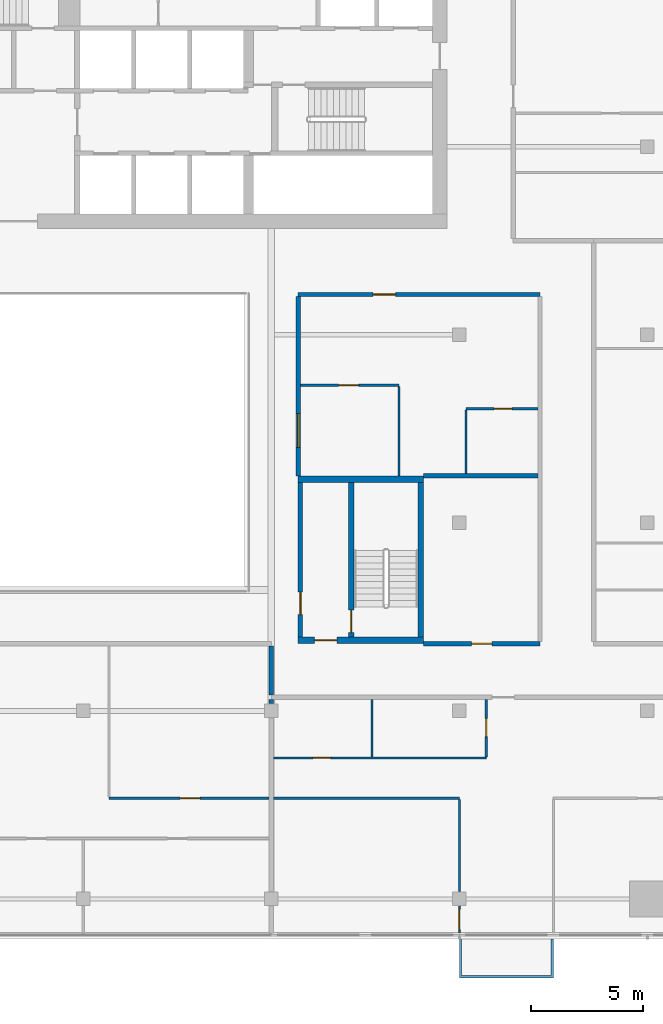
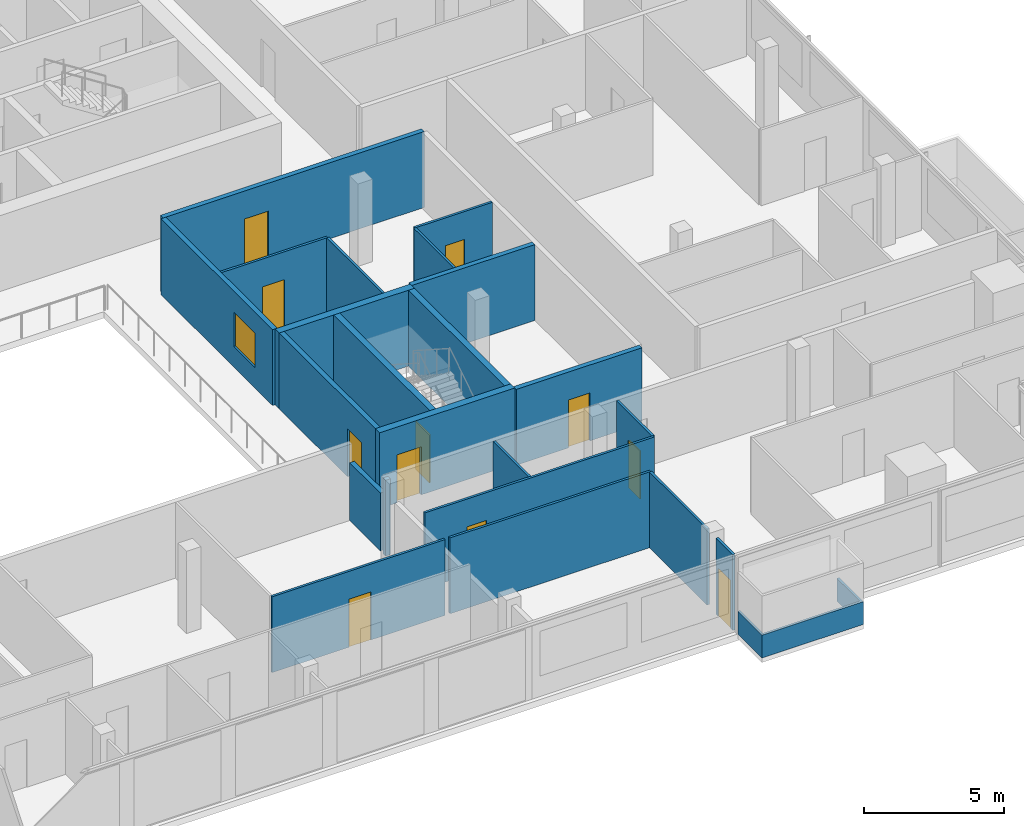
# One storey, part 19 of 29: 23 walls, 11 doors, 1 window, 12 openings.
"""IFC4 building model written with IfcOpenShell, lengths in metres."""

import ifcopenshell
import ifcopenshell.guid

model = None  # the IFC model being written
_history = None  # IfcOwnerHistory: only IFC2X3 demands one
_inside = {}  # id of a spatial element -> (the spatial element, [elements in it])
_under = {}  # id of a project, library or spatial element -> (it, [spatial elements below it])
_declared = {}  # id of a project -> (the project, [libraries it declares])
_typed = {}  # id of a type object -> (the type object, [elements of that type])
_made_of = {}  # id of a material, layer set ... -> (it, [elements and type objects made of it])


def new_model(schema):
    """Start an empty IFC model of exactly this schema.

    Asked for "IFC4X3", IfcOpenShell would pick the latest addendum, in which some entities
    have other attributes; the version numbers below select the first issue.
    IFC2X3 requires an IfcOwnerHistory on every rooted entity: one is made here for all.
    """
    global model, _history
    if schema == "IFC4X3":
        model = ifcopenshell.file(schema_version=(4, 3, 0, 0))
    else:
        model = ifcopenshell.file(schema=schema)
    _inside.clear()
    _under.clear()
    _declared.clear()
    _typed.clear()
    _made_of.clear()
    _history = None
    if model.schema == "IFC2X3":
        org = make("IfcOrganization", Name="unknown")
        user = make(
            "IfcPersonAndOrganization",
            ThePerson=make("IfcPerson", FamilyName="unknown"),
            TheOrganization=org,
        )
        app = make(
            "IfcApplication",
            ApplicationDeveloper=org,
            Version="unknown",
            ApplicationFullName="unknown",
            ApplicationIdentifier="unknown",
        )
        _history = make(
            "IfcOwnerHistory",
            OwningUser=user,
            OwningApplication=app,
            ChangeAction="ADDED",
            CreationDate=0,
        )
    return model


def make(cls, **values):
    """One entity of the class cls with the attributes given. An attribute that is None is left unset."""
    return model.create_entity(
        cls, **{name: value for name, value in values.items() if value is not None}
    )


def rooted(cls, **values):
    """An entity with a GlobalId (a new one), such as an element, a storey or a relation."""
    return make(cls, GlobalId=ifcopenshell.guid.new(), OwnerHistory=_history, **values)


def si_unit(unit_type, name, prefix=None):
    """IfcSIUnit, for example si_unit("LENGTHUNIT", "METRE", prefix="MILLI")."""
    return make("IfcSIUnit", UnitType=unit_type, Prefix=prefix, Name=name)


def assignment(units):
    """IfcUnitAssignment: the units of a project."""
    return None if units is None else make("IfcUnitAssignment", Units=units)


def point(xyz):
    """IfcCartesianPoint."""
    return None if xyz is None else make("IfcCartesianPoint", Coordinates=xyz)


def direction(xyz):
    """IfcDirection."""
    return None if xyz is None else make("IfcDirection", DirectionRatios=xyz)


def frame(location, z_axis=None, x_axis=None):
    """IfcAxis2Placement3D, a coordinate frame: its origin and axes. An axis left out is left unset."""
    return make(
        "IfcAxis2Placement3D",
        Location=point(location),
        Axis=direction(z_axis),
        RefDirection=direction(x_axis),
    )


def frame_2d(location, x_axis=None):
    """IfcAxis2Placement2D, a coordinate frame in the plane: its origin and x axis."""
    return make(
        "IfcAxis2Placement2D", Location=point(location), RefDirection=direction(x_axis)
    )


def origin():
    """The frame at (0, 0, 0) with its axes left unset."""
    return frame((0.0, 0.0, 0.0))


def place(relative_to, where):
    """IfcLocalPlacement: puts the frame where relative to a parent placement (None: the world)."""
    return make(
        "IfcLocalPlacement", PlacementRelTo=relative_to, RelativePlacement=where
    )


def context(
    kind, dimensions, precision=None, world=None, true_north=None, identifier=None
):
    """IfcGeometricRepresentationContext, for example the 3D "Model" context."""
    return make(
        "IfcGeometricRepresentationContext",
        ContextIdentifier=identifier,
        ContextType=kind,
        CoordinateSpaceDimension=dimensions,
        Precision=precision,
        WorldCoordinateSystem=world,
        TrueNorth=true_north,
    )


def subcontext(parent, identifier, kind, view, scale=None):
    """IfcGeometricRepresentationSubContext, for example "Body" below "Model"."""
    return make(
        "IfcGeometricRepresentationSubContext",
        ContextIdentifier=identifier,
        ContextType=kind,
        ParentContext=parent,
        TargetScale=scale,
        TargetView=view,
    )


def project(units=None, contexts=None):
    """IfcProject with its units and contexts."""
    return rooted(
        "IfcProject",
        Name="project",
        RepresentationContexts=contexts,
        UnitsInContext=assignment(units),
    )


def spatial(cls, under=None, at=None, **own):
    """A site, building, storey or space (cls), placed at a placement, below another one or the project."""
    s = rooted(cls, ObjectPlacement=at, **own)
    if under is not None:
        _under.setdefault(under.id(), (under, []))[1].append(s)
    return s


def polyline(points):
    """IfcPolyline through the points."""
    return make("IfcPolyline", Points=[point(p) for p in points])


def profile(cls, at=None, kind="AREA", **sizes):
    """A parametric profile (cls). Its sizes go by their IFC names, for example OverallWidth=200.0."""
    return make(cls, ProfileType=kind, Position=at, **sizes)


def rectangle(**sizes):
    """IfcRectangleProfileDef."""
    return profile("IfcRectangleProfileDef", **sizes)


def outline(outer, holes=None, kind="AREA"):
    """IfcArbitraryClosedProfileDef: a profile drawn as a closed curve; with holes, ...WithVoids."""
    if holes is None:
        return make("IfcArbitraryClosedProfileDef", ProfileType=kind, OuterCurve=outer)
    return make(
        "IfcArbitraryProfileDefWithVoids",
        ProfileType=kind,
        OuterCurve=outer,
        InnerCurves=holes,
    )


def extrude(swept, where, along, depth):
    """IfcExtrudedAreaSolid: the profile swept, set in the frame where, extruded along a direction by depth."""
    return make(
        "IfcExtrudedAreaSolid",
        SweptArea=swept,
        Position=where,
        ExtrudedDirection=direction(along),
        Depth=depth,
    )


def shape(context_of_items, identifier, shape_type, items):
    """IfcShapeRepresentation: the items that make up one representation, for example the "Body"."""
    return make(
        "IfcShapeRepresentation",
        ContextOfItems=context_of_items,
        RepresentationIdentifier=identifier,
        RepresentationType=shape_type,
        Items=items,
    )


def material(Name=None, Category=None):
    """IfcMaterial."""
    return make("IfcMaterial", Name=Name, Category=Category)


def layer(
    of_material, thickness, ventilated=None, Name=None, Category=None, Priority=None
):
    """IfcMaterialLayer: one layer of a wall or slab, of a material (None: an air gap)."""
    return make(
        "IfcMaterialLayer",
        Material=of_material,
        LayerThickness=thickness,
        IsVentilated=ventilated,
        Name=Name,
        Category=Category,
        Priority=Priority,
    )


def layer_set(layers, Name=None):
    """IfcMaterialLayerSet."""
    return make("IfcMaterialLayerSet", MaterialLayers=layers, LayerSetName=Name)


def made_of(thing, what):
    """Note that an element or type object is made of a material, layer set ...; save() writes the relation."""
    if what is not None:
        _made_of.setdefault(what.id(), (what, []))[1].append(thing)
    return thing


def type_object(cls, material=None, **own):
    """A type object (cls), such as IfcWallType, which elements share."""
    return made_of(rooted(cls, **own), material)


def element(
    cls,
    number,
    at=None,
    inside=None,
    cuts=None,
    type_object=None,
    material=None,
    context=None,
    identifier="Body",
    shape_type=None,
    held_by="IfcProductDefinitionShape",
    body=None,
    shapes=None,
    **own,
):
    """One element of the class cls, such as IfcWall. Its Tag is "e" and its number.

    at: its placement. inside: the storey or other place that contains it. cuts: it is an
    opening in that element (IfcRelVoidsElement). A single representation is given by context,
    identifier, shape_type and body (its items); several are given by shapes. held_by: the class
    of the entity that holds the representations. save() writes the other relations.
    """
    e = rooted(cls, Tag="e%d" % number, ObjectPlacement=at, **own)
    if body is not None:
        shapes = [shape(context, identifier, shape_type, body)]
    if shapes is not None:
        e.Representation = make(held_by, Representations=shapes)
    if inside is not None:
        _inside.setdefault(inside.id(), (inside, []))[1].append(e)
    if cuts is not None:
        rooted(
            "IfcRelVoidsElement", RelatingBuildingElement=cuts, RelatedOpeningElement=e
        )
    if type_object is not None:
        _typed.setdefault(type_object.id(), (type_object, []))[1].append(e)
    return made_of(e, material)


def fill(opening, filler):
    """IfcRelFillsElement: the door or window that sits in an opening."""
    return rooted(
        "IfcRelFillsElement",
        RelatingOpeningElement=opening,
        RelatedBuildingElement=filler,
    )


def aggregate(whole, parts):
    """IfcRelAggregates: a whole, such as a stair, and the parts it consists of."""
    return rooted("IfcRelAggregates", RelatingObject=whole, RelatedObjects=parts)


def save(model, path):
    """Write the relations noted so far, then the file.

    IfcRelAggregates (storeys below a building ...), IfcRelContainedInSpatialStructure (elements
    in a storey), IfcRelDefinesByType, IfcRelAssociatesMaterial and IfcRelDeclares: one each for
    every whole, place, type object, material and project.
    """
    for whole, parts in _under.values():
        aggregate(whole, parts)
    for where, things in _inside.values():
        rooted(
            "IfcRelContainedInSpatialStructure",
            RelatedElements=things,
            RelatingStructure=where,
        )
    for kind, things in _typed.values():
        rooted("IfcRelDefinesByType", RelatedObjects=things, RelatingType=kind)
    for what, things in _made_of.values():
        rooted("IfcRelAssociatesMaterial", RelatedObjects=things, RelatingMaterial=what)
    for by, libraries in _declared.values():
        rooted("IfcRelDeclares", RelatingContext=by, RelatedDefinitions=libraries)
    model.write(path)


model = new_model("IFC4")

# Units and contexts
model_context = context("Model", 3, precision=1e-05, world=origin(), true_north=direction((0.0, 1.0)))
body_context = subcontext(model_context, "Body", "Model", "MODEL_VIEW")
ifc_project = project(units=[si_unit("LENGTHUNIT", "METRE"), si_unit("AREAUNIT", "SQUARE_METRE"), si_unit("VOLUMEUNIT", "CUBIC_METRE"), si_unit("PLANEANGLEUNIT", "RADIAN"), si_unit("MASSUNIT", "GRAM", prefix="KILO")], contexts=[model_context])

# Site, building, storey
site_placement = place(None, origin())
site = spatial("IfcSite", under=ifc_project, at=site_placement, CompositionType="ELEMENT")
building_placement = place(site_placement, origin())
building = spatial("IfcBuilding", under=site, at=building_placement, Name="Saffron Gate Tower", CompositionType="ELEMENT")
storey_placement = place(building_placement, frame((0.0, 0.0, 227.10009765625)))
storey = spatial("IfcBuildingStorey", under=building, at=storey_placement, Name="L55", CompositionType="ELEMENT", Elevation=227.10009765625)

# Wall, opening, door
ifc_material_1 = material(Name="Gypsum board partition on steel studs", Category="steel")
ifc_layer_1 = layer(ifc_material_1, 0.199951171875)
ifc_layer_set_1 = layer_set([ifc_layer_1], Name="CW10 Core partition 200")
wall_type_1 = type_object("IfcWallType", Name="CW10 Core partition 200", PredefinedType="PARTITIONING", material=ifc_layer_set_1)
wall_1_placement = place(storey_placement, frame((101.5, 43.5, 0.0), z_axis=(0.0, 0.0, 1.0), x_axis=(0.0, 1.0, 0.0)))
wall_1 = element("IfcWall", 1, at=wall_1_placement, inside=storey, type_object=wall_type_1, Name="Wall CW10-L55-E-2", PredefinedType="PARTITIONING", context=body_context, shape_type="SweptSolid", body=[
    extrude(rectangle(XDim=6.89990234375, YDim=0.199951171875, at=frame_2d((3.449951171875, 0.0))), origin(), (0.0, 0.0, 1.0), 3.31982421875),
])
opening_1_placement = place(wall_1_placement, frame((1.0, 0.0, 0.0)))
opening_1 = element("IfcOpeningElement", 2, at=opening_1_placement, cuts=wall_1, Name="Opening CR-22", PredefinedType="OPENING", context=body_context, shape_type="SweptSolid", body=[
    extrude(rectangle(XDim=1.0, YDim=2.10009765625, at=frame_2d((0.5, 1.050048828125))), frame((0.0, 0.10986328125, 0.0), z_axis=(0.0, -1.0, 0.0), x_axis=(1.0, 0.0, 0.0)), (0.0, 0.0, 1.0), 0.219970703125),
])
ifc_material_2 = material(Name="Steel fire door set", Category="steel")
door_type_1 = type_object("IfcDoorType", Name="CD4 Lobby door 1000x2100 EI 120", OperationType="NOTDEFINED", PredefinedType="DOOR", material=ifc_material_2)
door_1_placement = place(opening_1_placement, origin())
door_1 = element("IfcDoor", 3, at=door_1_placement, inside=storey, type_object=door_type_1, Name="DOOR CR-22", OperationType="SINGLE_SWING_LEFT", OverallHeight=2.10009765625, OverallWidth=1.0, PredefinedType="DOOR", context=body_context, shape_type="SweptSolid", body=[
    extrude(rectangle(XDim=1.0, YDim=2.10009765625, at=frame_2d((0.5, 1.050048828125))), frame((0.0, 0.02490234375, 0.0), z_axis=(0.0, -1.0, 0.0), x_axis=(1.0, 0.0, 0.0)), (0.0, 0.0, 1.0), 0.050048828125),
])
fill(opening_1, door_1)

ifc_material_3 = material(Name="Concrete C60", Category="concrete")
ifc_layer_2 = layer(ifc_material_3, 0.25)
ifc_layer_set_2 = layer_set([ifc_layer_2], Name="CW14 RC core wall 250 C60")
wall_type_2 = type_object("IfcWallType", Name="CW14 RC core wall 250 C60", PredefinedType="SOLIDWALL", material=ifc_layer_set_2)
wall_2_placement = place(storey_placement, frame((103.77490234375, 43.5, 0.0), z_axis=(0.0, 0.0, 1.0), x_axis=(0.0, 1.0, 0.0)))
wall_2 = element("IfcWall", 4, at=wall_2_placement, inside=storey, type_object=wall_type_2, Name="Wall CW14-L55-E-3", PredefinedType="SOLIDWALL", context=body_context, shape_type="SweptSolid", body=[
    extrude(rectangle(XDim=6.89990234375, YDim=0.25, at=frame_2d((3.449951171875, 0.0))), origin(), (0.0, 0.0, 1.0), 3.31982421875),
])
opening_2_placement = place(wall_2_placement, frame((0.199951171875, 0.0, 0.0)))
opening_2 = element("IfcOpeningElement", 5, at=opening_2_placement, cuts=wall_2, Name="Opening CR-23", PredefinedType="OPENING", context=body_context, shape_type="SweptSolid", body=[
    extrude(rectangle(XDim=1.0, YDim=2.10009765625, at=frame_2d((0.5, 1.050048828125))), frame((0.0, 0.135009765625, 0.0), z_axis=(0.0, -1.0, 0.0), x_axis=(1.0, 0.0, 0.0)), (0.0, 0.0, 1.0), 0.27001953125),
])
door_type_2 = type_object("IfcDoorType", Name="CD5 Stair door 1000x2100 EI 120", OperationType="NOTDEFINED", PredefinedType="DOOR", material=ifc_material_2)
door_2_placement = place(opening_2_placement, origin())
door_2 = element("IfcDoor", 6, at=door_2_placement, inside=storey, type_object=door_type_2, Name="DOOR CR-23", OperationType="SINGLE_SWING_RIGHT", OverallHeight=2.10009765625, OverallWidth=1.0, PredefinedType="DOOR", context=body_context, shape_type="SweptSolid", body=[
    extrude(rectangle(XDim=1.0, YDim=2.10009765625, at=frame_2d((0.5, 1.050048828125))), frame((0.0, 0.02490234375, 0.0), z_axis=(0.0, -1.0, 0.0), x_axis=(1.0, 0.0, 0.0)), (0.0, 0.0, 1.0), 0.050048828125),
])
fill(opening_2, door_2)

# Wall
wall_3_placement = place(storey_placement, frame((106.875, 43.5, 0.0), z_axis=(0.0, 0.0, 1.0), x_axis=(0.0, 1.0, 0.0)))
element("IfcWall", 7, at=wall_3_placement, inside=storey, type_object=wall_type_2, Name="Wall CW14-L55-E-4", PredefinedType="SOLIDWALL", context=body_context, shape_type="SweptSolid", body=[
    extrude(rectangle(XDim=6.89990234375, YDim=0.25, at=frame_2d((3.449951171875, 0.0))), origin(), (0.0, 0.0, 1.0), 3.31982421875),
])

# Wall, opening, door
ifc_layer_3 = layer(ifc_material_3, 0.300048828125)
ifc_layer_set_3 = layer_set([ifc_layer_3], Name="CW17 RC core wall 300 C60")
wall_type_3 = type_object("IfcWallType", Name="CW17 RC core wall 300 C60", PredefinedType="SOLIDWALL", material=ifc_layer_set_3)
wall_4_placement = place(storey_placement, frame((101.39990234375, 43.35009765625, 0.0), z_axis=(0.0, 0.0, 1.0), x_axis=(1.0, 0.0, 0.0)))
wall_4 = element("IfcWall", 8, at=wall_4_placement, inside=storey, type_object=wall_type_3, Name="Wall CW17-L55-E-1", PredefinedType="SOLIDWALL", context=body_context, shape_type="SweptSolid", body=[
    extrude(rectangle(XDim=5.60009765625, YDim=0.300048828125, at=frame_2d((2.800048828125, 0.0))), origin(), (0.0, 0.0, 1.0), 3.31982421875),
])
opening_3_placement = place(wall_4_placement, frame((0.72509765625, 0.0, 0.0)))
opening_3 = element("IfcOpeningElement", 9, at=opening_3_placement, cuts=wall_4, Name="Opening CR-21", PredefinedType="OPENING", context=body_context, shape_type="SweptSolid", body=[
    extrude(rectangle(XDim=1.0, YDim=2.10009765625, at=frame_2d((0.5, 1.050048828125))), frame((0.0, 0.16015625, 0.0), z_axis=(0.0, -1.0, 0.0), x_axis=(1.0, 0.0, 0.0)), (0.0, 0.0, 1.0), 0.320068359375),
])
door_3_placement = place(opening_3_placement, origin())
door_3 = element("IfcDoor", 10, at=door_3_placement, inside=storey, type_object=door_type_1, Name="DOOR CR-21", OperationType="SINGLE_SWING_RIGHT", OverallHeight=2.10009765625, OverallWidth=1.0, PredefinedType="DOOR", context=body_context, shape_type="SweptSolid", body=[
    extrude(rectangle(XDim=1.0, YDim=2.10009765625, at=frame_2d((0.5, 1.050048828125))), frame((0.0, 0.02490234375, 0.0), z_axis=(0.0, -1.0, 0.0), x_axis=(1.0, 0.0, 0.0)), (0.0, 0.0, 1.0), 0.050048828125),
])
fill(opening_3, door_3)

# Wall
wall_5_placement = place(storey_placement, frame((101.39990234375, 50.550048828125, 0.0), z_axis=(0.0, 0.0, 1.0), x_axis=(1.0, 0.0, 0.0)))
element("IfcWall", 11, at=wall_5_placement, inside=storey, type_object=wall_type_3, Name="Wall CW17-L55-E-5", PredefinedType="SOLIDWALL", context=body_context, shape_type="SweptSolid", body=[
    extrude(rectangle(XDim=5.60009765625, YDim=0.300048828125, at=frame_2d((2.800048828125, 0.0))), origin(), (0.0, 0.0, 1.0), 3.31982421875),
])

# Wall, opening, door
ifc_material_4 = material(Name="Plasterboard on steel studs", Category="steel")
ifc_layer_4 = layer(ifc_material_4, 0.10009765625)
ifc_layer_set_4 = layer_set([ifc_layer_4], Name="PW1 Partition 100")
wall_type_4 = type_object("IfcWallType", Name="PW1 Partition 100", PredefinedType="PARTITIONING", material=ifc_layer_set_4)
wall_6_placement = place(storey_placement, frame((100.300048828125, 38.10009765625, 0.0), z_axis=(0.0, 0.0, 1.0), x_axis=(1.0, 0.0, 0.0)))
wall_6 = element("IfcWall", 12, at=wall_6_placement, inside=storey, type_object=wall_type_4, Name="Partition D3-6", PredefinedType="PARTITIONING", context=body_context, shape_type="SweptSolid", body=[
    extrude(rectangle(XDim=9.5, YDim=0.10009765625, at=frame_2d((4.75, 0.0))), origin(), (0.0, 0.0, 1.0), 3.31982421875),
])
opening_4_placement = place(wall_6_placement, frame((1.75, 0.0, 0.0)))
opening_4 = element("IfcOpeningElement", 13, at=opening_4_placement, cuts=wall_6, Name="Opening D3-43", PredefinedType="OPENING", context=body_context, shape_type="SweptSolid", body=[
    extrude(rectangle(XDim=0.800048828125, YDim=2.10009765625, at=frame_2d((0.39990234375, 1.050048828125))), frame((0.0, 0.06005859375, 0.0), z_axis=(0.0, -1.0, 0.0), x_axis=(1.0, 0.0, 0.0)), (0.0, 0.0, 1.0), 0.1201171875),
])
ifc_material_5 = material(Name="Timber door set", Category="wood")
door_type_3 = type_object("IfcDoorType", Name="RD2 Bathroom door 800x2100", OperationType="NOTDEFINED", PredefinedType="DOOR", material=ifc_material_5)
door_4_placement = place(opening_4_placement, origin())
door_4 = element("IfcDoor", 14, at=door_4_placement, inside=storey, type_object=door_type_3, Name="Door D3-43", OperationType="SINGLE_SWING_LEFT", OverallHeight=2.10009765625, OverallWidth=0.800048828125, PredefinedType="DOOR", context=body_context, shape_type="SweptSolid", body=[
    extrude(rectangle(XDim=0.800048828125, YDim=2.10009765625, at=frame_2d((0.39990234375, 1.050048828125))), frame((0.0, 0.02490234375, 0.0), z_axis=(0.0, -1.0, 0.0), x_axis=(1.0, 0.0, 0.0)), (0.0, 0.0, 1.0), 0.050048828125),
])
fill(opening_4, door_4)

wall_7_placement = place(storey_placement, frame((112.10009765625, 53.699951171875, 0.0), z_axis=(0.0, 0.0, 1.0), x_axis=(-1.0, 0.0, 0.0)))
wall_7 = element("IfcWall", 15, at=wall_7_placement, inside=storey, type_object=wall_type_4, Name="Partition D3-30", PredefinedType="PARTITIONING", context=body_context, shape_type="SweptSolid", body=[
    extrude(rectangle(XDim=3.2001953125, YDim=0.10009765625, at=frame_2d((1.60009765625, 0.0))), origin(), (0.0, 0.0, 1.0), 3.31982421875),
])
opening_5_placement = place(wall_7_placement, frame((1.14990234375, 0.0, 0.0)))
opening_5 = element("IfcOpeningElement", 16, at=opening_5_placement, cuts=wall_7, Name="Opening D3-53", PredefinedType="OPENING", context=body_context, shape_type="SweptSolid", body=[
    extrude(rectangle(XDim=0.800048828125, YDim=2.10009765625, at=frame_2d((0.39990234375, 1.050048828125))), frame((0.0, 0.06005859375, 0.0), z_axis=(0.0, -1.0, 0.0), x_axis=(1.0, 0.0, 0.0)), (0.0, 0.0, 1.0), 0.1201171875),
])
door_5_placement = place(opening_5_placement, origin())
door_5 = element("IfcDoor", 17, at=door_5_placement, inside=storey, type_object=door_type_3, Name="Door D3-53", OperationType="SINGLE_SWING_LEFT", OverallHeight=2.10009765625, OverallWidth=0.800048828125, PredefinedType="DOOR", context=body_context, shape_type="SweptSolid", body=[
    extrude(rectangle(XDim=0.800048828125, YDim=2.10009765625, at=frame_2d((0.39990234375, 1.050048828125))), frame((0.0, 0.02490234375, 0.0), z_axis=(0.0, -1.0, 0.0), x_axis=(1.0, 0.0, 0.0)), (0.0, 0.0, 1.0), 0.050048828125),
])
fill(opening_5, door_5)

wall_8_placement = place(storey_placement, frame((105.89990234375, 54.75, 0.0), z_axis=(0.0, 0.0, 1.0), x_axis=(-1.0, 0.0, 0.0)))
wall_8 = element("IfcWall", 18, at=wall_8_placement, inside=storey, type_object=wall_type_4, Name="Partition D3-33", PredefinedType="PARTITIONING", context=body_context, shape_type="SweptSolid", body=[
    extrude(rectangle(XDim=4.39990234375, YDim=0.10009765625, at=frame_2d((2.199951171875, 0.0))), origin(), (0.0, 0.0, 1.0), 3.31982421875),
])
opening_6_placement = place(wall_8_placement, frame((1.800048828125, 0.0, 0.0)))
opening_6 = element("IfcOpeningElement", 19, at=opening_6_placement, cuts=wall_8, Name="Opening D3-38", PredefinedType="OPENING", context=body_context, shape_type="SweptSolid", body=[
    extrude(rectangle(XDim=0.89990234375, YDim=2.10009765625, at=frame_2d((0.449951171875, 1.050048828125))), frame((0.0, 0.06005859375, 0.0), z_axis=(0.0, -1.0, 0.0), x_axis=(1.0, 0.0, 0.0)), (0.0, 0.0, 1.0), 0.1201171875),
])
door_type_4 = type_object("IfcDoorType", Name="RD1 Room door 900x2100", OperationType="NOTDEFINED", PredefinedType="DOOR", material=ifc_material_5)
door_6_placement = place(opening_6_placement, origin())
door_6 = element("IfcDoor", 20, at=door_6_placement, inside=storey, type_object=door_type_4, Name="Door D3-38", OperationType="SINGLE_SWING_RIGHT", OverallHeight=2.10009765625, OverallWidth=0.89990234375, PredefinedType="DOOR", context=body_context, shape_type="SweptSolid", body=[
    extrude(rectangle(XDim=0.89990234375, YDim=2.10009765625, at=frame_2d((0.449951171875, 1.050048828125))), frame((0.0, 0.02490234375, 0.0), z_axis=(0.0, -1.0, 0.0), x_axis=(1.0, 0.0, 0.0)), (0.0, 0.0, 1.0), 0.050048828125),
])
fill(opening_6, door_6)

# Walls
wall_9_placement = place(storey_placement, frame((104.699951171875, 40.699951171875, 0.0), z_axis=(0.0, 0.0, 1.0), x_axis=(0.0, -1.0, 0.0)))
element("IfcWall", 21, at=wall_9_placement, inside=storey, type_object=wall_type_4, Name="Partition D3-96", PredefinedType="PARTITIONING", context=body_context, shape_type="SweptSolid", body=[
    extrude(rectangle(XDim=2.550048828125, YDim=0.10009765625, at=frame_2d((1.27490234375, 0.0))), origin(), (0.0, 0.0, 1.0), 3.31982421875),
])
wall_10_placement = place(storey_placement, frame((105.89990234375, 54.699951171875, 0.0), z_axis=(0.0, 0.0, 1.0), x_axis=(0.0, -1.0, 0.0)))
element("IfcWall", 22, at=wall_10_placement, inside=storey, type_object=wall_type_4, Name="Partition D3-97", PredefinedType="PARTITIONING", context=body_context, shape_type="SweptSolid", body=[
    extrude(rectangle(XDim=4.0, YDim=0.10009765625, at=frame_2d((2.0, 0.0))), origin(), (0.0, 0.0, 1.0), 3.31982421875),
])

# Wall, opening, door
wall_11_placement = place(storey_placement, frame((108.60009765625, 30.280029296875, 0.0), z_axis=(0.0, 0.0, 1.0), x_axis=(0.0, 1.0, 0.0)))
wall_11 = element("IfcWall", 23, at=wall_11_placement, inside=storey, type_object=wall_type_4, Name="Partition D3-98", PredefinedType="PARTITIONING", context=body_context, shape_type="SweptSolid", body=[
    extrude(rectangle(XDim=1.199951171875, YDim=0.10009765625, at=frame_2d((0.60009765625, 0.0))), origin(), (0.0, 0.0, 1.0), 3.31982421875),
])
opening_7_placement = place(wall_11_placement, frame((0.14990234375, 0.0, 0.0)))
opening_7 = element("IfcOpeningElement", 24, at=opening_7_placement, cuts=wall_11, Name="Opening D3-21", PredefinedType="OPENING", context=body_context, shape_type="SweptSolid", body=[
    extrude(rectangle(XDim=0.89990234375, YDim=2.10009765625, at=frame_2d((0.449951171875, 1.050048828125))), frame((0.0, 0.06005859375, 0.0), z_axis=(0.0, -1.0, 0.0), x_axis=(1.0, 0.0, 0.0)), (0.0, 0.0, 1.0), 0.1201171875),
])
door_7_placement = place(opening_7_placement, origin())
door_7 = element("IfcDoor", 25, at=door_7_placement, inside=storey, type_object=door_type_4, Name="Door D3-21", OperationType="SINGLE_SWING_LEFT", OverallHeight=2.10009765625, OverallWidth=0.89990234375, PredefinedType="DOOR", context=body_context, shape_type="SweptSolid", body=[
    extrude(rectangle(XDim=0.89990234375, YDim=2.10009765625, at=frame_2d((0.449951171875, 1.050048828125))), frame((0.0, 0.02490234375, 0.0), z_axis=(0.0, -1.0, 0.0), x_axis=(1.0, 0.0, 0.0)), (0.0, 0.0, 1.0), 0.050048828125),
])
fill(opening_7, door_7)

# Walls
wall_12_placement = place(storey_placement, frame((108.60009765625, 36.25, 0.0), z_axis=(0.0, 0.0, 1.0), x_axis=(0.0, -1.0, 0.0)))
element("IfcWall", 26, at=wall_12_placement, inside=storey, type_object=wall_type_4, Name="Partition D3-99", PredefinedType="PARTITIONING", context=body_context, shape_type="SweptSolid", body=[
    extrude(rectangle(XDim=4.1298828125, YDim=0.10009765625, at=frame_2d((2.06494140625, 0.0))), origin(), (0.0, 0.0, 1.0), 3.31982421875),
])
wall_13_placement = place(storey_placement, frame((108.89990234375, 53.64990234375, 0.0), z_axis=(0.0, 0.0, 1.0), x_axis=(0.0, -1.0, 0.0)))
element("IfcWall", 27, at=wall_13_placement, inside=storey, type_object=wall_type_4, Name="Partition D3-100", PredefinedType="PARTITIONING", context=body_context, shape_type="SweptSolid", body=[
    extrude(rectangle(XDim=2.849853515625, YDim=0.10009765625, at=frame_2d((1.4248046875, 0.0))), origin(), (0.0, 0.0, 1.0), 3.31982421875),
])

# Wall, opening, door
wall_14_placement = place(storey_placement, frame((109.800048828125, 38.14990234375, 0.0), z_axis=(0.0, 0.0, 1.0), x_axis=(0.0, 1.0, 0.0)))
wall_14 = element("IfcWall", 28, at=wall_14_placement, inside=storey, type_object=wall_type_4, Name="Partition D3-101", PredefinedType="PARTITIONING", context=body_context, shape_type="SweptSolid", body=[
    extrude(rectangle(XDim=2.550048828125, YDim=0.10009765625, at=frame_2d((1.27490234375, 0.0))), origin(), (0.0, 0.0, 1.0), 3.31982421875),
])
opening_8_placement = place(wall_14_placement, frame((0.89990234375, 0.0, 0.0)))
opening_8 = element("IfcOpeningElement", 29, at=opening_8_placement, cuts=wall_14, Name="Opening D3-44", PredefinedType="OPENING", context=body_context, shape_type="SweptSolid", body=[
    extrude(rectangle(XDim=0.800048828125, YDim=2.10009765625, at=frame_2d((0.39990234375, 1.050048828125))), frame((0.0, 0.06005859375, 0.0), z_axis=(0.0, -1.0, 0.0), x_axis=(1.0, 0.0, 0.0)), (0.0, 0.0, 1.0), 0.1201171875),
])
door_8_placement = place(opening_8_placement, origin())
door_8 = element("IfcDoor", 30, at=door_8_placement, inside=storey, type_object=door_type_3, Name="Door D3-44", OperationType="SINGLE_SWING_RIGHT", OverallHeight=2.10009765625, OverallWidth=0.800048828125, PredefinedType="DOOR", context=body_context, shape_type="SweptSolid", body=[
    extrude(rectangle(XDim=0.800048828125, YDim=2.10009765625, at=frame_2d((0.39990234375, 1.050048828125))), frame((0.0, 0.02490234375, 0.0), z_axis=(0.0, -1.0, 0.0), x_axis=(1.0, 0.0, 0.0)), (0.0, 0.0, 1.0), 0.050048828125),
])
fill(opening_8, door_8)

wall_15_placement = place(storey_placement, frame((92.94189453125, 36.300048828125, 0.0), z_axis=(0.0, 0.0, 1.0), x_axis=(1.0, 0.0, 0.0)))
wall_15 = element("IfcWall", 31, at=wall_15_placement, inside=storey, type_object=wall_type_4, Name="Partition D3-116", PredefinedType="PARTITIONING", context=body_context, shape_type="SweptSolid", body=[
    extrude(rectangle(XDim=7.158203125, YDim=0.10009765625, at=frame_2d((3.5791015625, 0.0))), origin(), (0.0, 0.0, 1.0), 3.31982421875),
])
opening_9_placement = place(wall_15_placement, frame((3.178955078125, 0.0, 0.0)))
opening_9 = element("IfcOpeningElement", 32, at=opening_9_placement, cuts=wall_15, Name="Opening D3-19", PredefinedType="OPENING", context=body_context, shape_type="SweptSolid", body=[
    extrude(rectangle(XDim=0.89990234375, YDim=2.10009765625, at=frame_2d((0.449951171875, 1.050048828125))), frame((0.0, 0.06005859375, 0.0), z_axis=(0.0, -1.0, 0.0), x_axis=(1.0, 0.0, 0.0)), (0.0, 0.0, 1.0), 0.1201171875),
])
door_9_placement = place(opening_9_placement, origin())
door_9 = element("IfcDoor", 33, at=door_9_placement, inside=storey, type_object=door_type_4, Name="Door D3-19", OperationType="SINGLE_SWING_RIGHT", OverallHeight=2.10009765625, OverallWidth=0.89990234375, PredefinedType="DOOR", context=body_context, shape_type="SweptSolid", body=[
    extrude(rectangle(XDim=0.89990234375, YDim=2.10009765625, at=frame_2d((0.449951171875, 1.050048828125))), frame((0.0, 0.02490234375, 0.0), z_axis=(0.0, -1.0, 0.0), x_axis=(1.0, 0.0, 0.0)), (0.0, 0.0, 1.0), 0.050048828125),
])
fill(opening_9, door_9)

# Walls
wall_16_placement = place(storey_placement, frame((100.300048828125, 36.300048828125, 0.0), z_axis=(0.0, 0.0, 1.0), x_axis=(1.0, 0.0, 0.0)))
element("IfcWall", 34, at=wall_16_placement, inside=storey, type_object=wall_type_4, Name="Partition D3-117", PredefinedType="PARTITIONING", context=body_context, shape_type="SweptSolid", body=[
    extrude(rectangle(XDim=8.300048828125, YDim=0.10009765625, at=frame_2d((4.14990234375, 0.0))), origin(), (0.0, 0.0, 1.0), 3.31982421875),
])
ifc_material_6 = material(Name="Clay brick masonry, rendered", Category="masonry")
ifc_layer_5 = layer(ifc_material_6, 0.199951171875)
ifc_layer_set_5 = layer_set([ifc_layer_5], Name="PW2 Demising wall 200")
wall_type_5 = type_object("IfcWallType", Name="PW2 Demising wall 200", PredefinedType="PARTITIONING", material=ifc_layer_set_5)
wall_17_placement = place(storey_placement, frame((107.0, 50.699951171875, 0.0), z_axis=(0.0, 0.0, 1.0), x_axis=(1.0, 0.0, 0.0)))
element("IfcWall", 35, at=wall_17_placement, inside=storey, type_object=wall_type_5, Name="Wall D3-25", PredefinedType="PARTITIONING", context=body_context, shape_type="SweptSolid", body=[
    extrude(rectangle(XDim=5.10009765625, YDim=0.199951171875, at=frame_2d((2.550048828125, 0.0))), origin(), (0.0, 0.0, 1.0), 3.31982421875),
])
wall_18_placement = place(storey_placement, frame((100.199951171875, 40.699951171875, 0.0), z_axis=(0.0, 0.0, 1.0), x_axis=(0.0, -1.0, 0.0)))
element("IfcWall", 36, at=wall_18_placement, inside=storey, type_object=wall_type_5, Name="Wall D3-94", PredefinedType="PARTITIONING", context=body_context, shape_type="SweptSolid", body=[
    extrude(rectangle(XDim=0.179931640625, YDim=0.199951171875, at=frame_2d((0.08984375, 0.0))), origin(), (0.0, 0.0, 1.0), 3.31982421875),
])

# Wall, opening, door
ifc_layer_6 = layer(ifc_material_6, 0.199951171875)
ifc_layer_set_6 = layer_set([ifc_layer_6], Name="PW3 Corridor wall 200")
wall_type_6 = type_object("IfcWallType", Name="PW3 Corridor wall 200", PredefinedType="PARTITIONING", material=ifc_layer_set_6)
wall_19_placement = place(storey_placement, frame((107.0, 43.199951171875, 0.0), z_axis=(0.0, 0.0, 1.0), x_axis=(1.0, 0.0, 0.0)))
wall_19 = element("IfcWall", 37, at=wall_19_placement, inside=storey, type_object=wall_type_6, Name="Wall D3-15", PredefinedType="PARTITIONING", context=body_context, shape_type="SweptSolid", body=[
    extrude(rectangle(XDim=5.199951171875, YDim=0.199951171875, at=frame_2d((2.60009765625, 0.0))), origin(), (0.0, 0.0, 1.0), 3.31982421875),
])
opening_10_placement = place(wall_19_placement, frame((2.14990234375, 0.0, 0.0)))
opening_10 = element("IfcOpeningElement", 38, at=opening_10_placement, cuts=wall_19, Name="Opening D3-54", PredefinedType="OPENING", context=body_context, shape_type="SweptSolid", body=[
    extrude(rectangle(XDim=0.89990234375, YDim=2.10009765625, at=frame_2d((0.449951171875, 1.050048828125))), frame((0.0, 0.10986328125, 0.0), z_axis=(0.0, -1.0, 0.0), x_axis=(1.0, 0.0, 0.0)), (0.0, 0.0, 1.0), 0.219970703125),
])
door_type_5 = type_object("IfcDoorType", Name="SD1 Service door 900x2100", OperationType="NOTDEFINED", PredefinedType="DOOR", material=ifc_material_2)
door_10_placement = place(opening_10_placement, origin())
door_10 = element("IfcDoor", 39, at=door_10_placement, inside=storey, type_object=door_type_5, Name="Door D3-54", OperationType="SINGLE_SWING_LEFT", OverallHeight=2.10009765625, OverallWidth=0.89990234375, PredefinedType="DOOR", context=body_context, shape_type="SweptSolid", body=[
    extrude(rectangle(XDim=0.89990234375, YDim=2.10009765625, at=frame_2d((0.449951171875, 1.050048828125))), frame((0.0, 0.02490234375, 0.0), z_axis=(0.0, -1.0, 0.0), x_axis=(1.0, 0.0, 0.0)), (0.0, 0.0, 1.0), 0.050048828125),
])
fill(opening_10, door_10)

wall_20_placement = place(storey_placement, frame((112.199951171875, 58.800048828125, 0.0), z_axis=(0.0, 0.0, 1.0), x_axis=(-1.0, 0.0, 0.0)))
wall_20 = element("IfcWall", 40, at=wall_20_placement, inside=storey, type_object=wall_type_6, Name="Wall D3-37", PredefinedType="PARTITIONING", context=body_context, shape_type="SweptSolid", body=[
    extrude(rectangle(XDim=10.800048828125, YDim=0.199951171875, at=frame_2d((5.39990234375, 0.0))), origin(), (0.0, 0.0, 1.0), 3.31982421875),
])
opening_11_placement = place(wall_20_placement, frame((6.449951171875, 0.0, 0.0)))
opening_11 = element("IfcOpeningElement", 41, at=opening_11_placement, cuts=wall_20, Name="Opening D3-9", PredefinedType="OPENING", context=body_context, shape_type="SweptSolid", body=[
    extrude(rectangle(XDim=1.0, YDim=2.10009765625, at=frame_2d((0.5, 1.050048828125))), frame((0.0, 0.10986328125, 0.0), z_axis=(0.0, -1.0, 0.0), x_axis=(1.0, 0.0, 0.0)), (0.0, 0.0, 1.0), 0.219970703125),
])
ifc_material_7 = material(Name="Timber fire door set", Category="wood")
door_type_6 = type_object("IfcDoorType", Name="FD1 Flat entry door 1000x2100", OperationType="NOTDEFINED", PredefinedType="DOOR", material=ifc_material_7)
door_11_placement = place(opening_11_placement, origin())
door_11 = element("IfcDoor", 42, at=door_11_placement, inside=storey, type_object=door_type_6, Name="Door D3-9", OperationType="SINGLE_SWING_LEFT", OverallHeight=2.10009765625, OverallWidth=1.0, PredefinedType="DOOR", context=body_context, shape_type="SweptSolid", body=[
    extrude(rectangle(XDim=1.0, YDim=2.10009765625, at=frame_2d((0.5, 1.050048828125))), frame((0.0, 0.02490234375, 0.0), z_axis=(0.0, -1.0, 0.0), x_axis=(1.0, 0.0, 0.0)), (0.0, 0.0, 1.0), 0.050048828125),
])
fill(opening_11, door_11)

# Wall
wall_21_placement = place(storey_placement, frame((100.199951171875, 43.10009765625, 0.0), z_axis=(0.0, 0.0, 1.0), x_axis=(0.0, -1.0, 0.0)))
element("IfcWall", 43, at=wall_21_placement, inside=storey, type_object=wall_type_6, Name="Wall D3-91", PredefinedType="PARTITIONING", context=body_context, shape_type="SweptSolid", body=[
    extrude(rectangle(XDim=2.2001953125, YDim=0.199951171875, at=frame_2d((1.10009765625, 0.0))), origin(), (0.0, 0.0, 1.0), 2.52978515625),
])

# Wall, opening, window
wall_22_placement = place(storey_placement, frame((101.39990234375, 58.699951171875, 0.0), z_axis=(0.0, 0.0, 1.0), x_axis=(0.0, -1.0, 0.0)))
wall_22 = element("IfcWall", 44, at=wall_22_placement, inside=storey, type_object=wall_type_6, Name="Wall D3-95", PredefinedType="PARTITIONING", context=body_context, shape_type="SweptSolid", body=[
    extrude(rectangle(XDim=8.0, YDim=0.199951171875, at=frame_2d((4.0, 0.0))), origin(), (0.0, 0.0, 1.0), 3.31982421875),
])
opening_12_placement = place(wall_22_placement, frame((5.22509765625, 0.0, 0.89990234375)))
opening_12 = element("IfcOpeningElement", 45, at=opening_12_placement, cuts=wall_22, Name="Opening GW1", PredefinedType="OPENING", context=body_context, shape_type="SweptSolid", body=[
    extrude(rectangle(XDim=1.5, YDim=1.5, at=frame_2d((0.75, 0.75))), frame((0.0, 0.10986328125, 0.0), z_axis=(0.0, -1.0, 0.0), x_axis=(1.0, 0.0, 0.0)), (0.0, 0.0, 1.0), 0.219970703125),
])
ifc_material_8 = material(Name="Fire-resisting laminated glass in steel frame", Category="steel")
ifc_layer_7 = layer(ifc_material_8, 0.06005859375)
ifc_layer_set_7 = layer_set([ifc_layer_7], Name="GW1 Gallery window 1500x1500")
window_type = type_object("IfcWindowType", Name="GW1 Gallery window 1500x1500", PartitioningType="SINGLE_PANEL", PredefinedType="WINDOW", material=ifc_layer_set_7)
window_placement = place(opening_12_placement, origin())
window = element("IfcWindow", 46, at=window_placement, inside=storey, type_object=window_type, Name="GW1 window D3-J-B1", OverallHeight=1.5, OverallWidth=1.5, PartitioningType="SINGLE_PANEL", PredefinedType="WINDOW", context=body_context, shape_type="SweptSolid", body=[
    extrude(rectangle(XDim=1.5, YDim=1.5, at=frame_2d((0.75, 0.75))), frame((0.0, 0.030029296875, 0.0), z_axis=(0.0, -1.0, 0.0), x_axis=(1.0, 0.0, 0.0)), (0.0, 0.0, 1.0), 0.06005859375),
])
fill(opening_12, window)

# Wall
ifc_material_9 = material(Name="Rendered insulated panel, white")
ifc_layer_8 = layer(ifc_material_9, 0.10009765625)
ifc_layer_set_8 = layer_set([ifc_layer_8], Name="WB3 box parapet white")
wall_type_7 = type_object("IfcWallType", Name="WB3 box parapet white", PredefinedType="SOLIDWALL", material=ifc_layer_set_8)
wall_23_placement = place(storey_placement, origin())
element("IfcWall", 47, at=wall_23_placement, inside=storey, type_object=wall_type_7, Name="WINDOW BOX parapet", PredefinedType="SOLIDWALL", context=body_context, shape_type="SweptSolid", body=[
    extrude(outline(polyline([(108.60009765625, 30.0), (108.699951171875, 30.0), (108.699951171875, 28.366943359375), (112.699951171875, 28.366943359375), (112.699951171875, 30.0), (112.800048828125, 30.0), (112.800048828125, 28.26708984375), (108.60009765625, 28.26708984375), (108.60009765625, 30.0)])), origin(), (0.0, 0.0, 1.0), 1.0),
])

save(model, "model.ifc")
